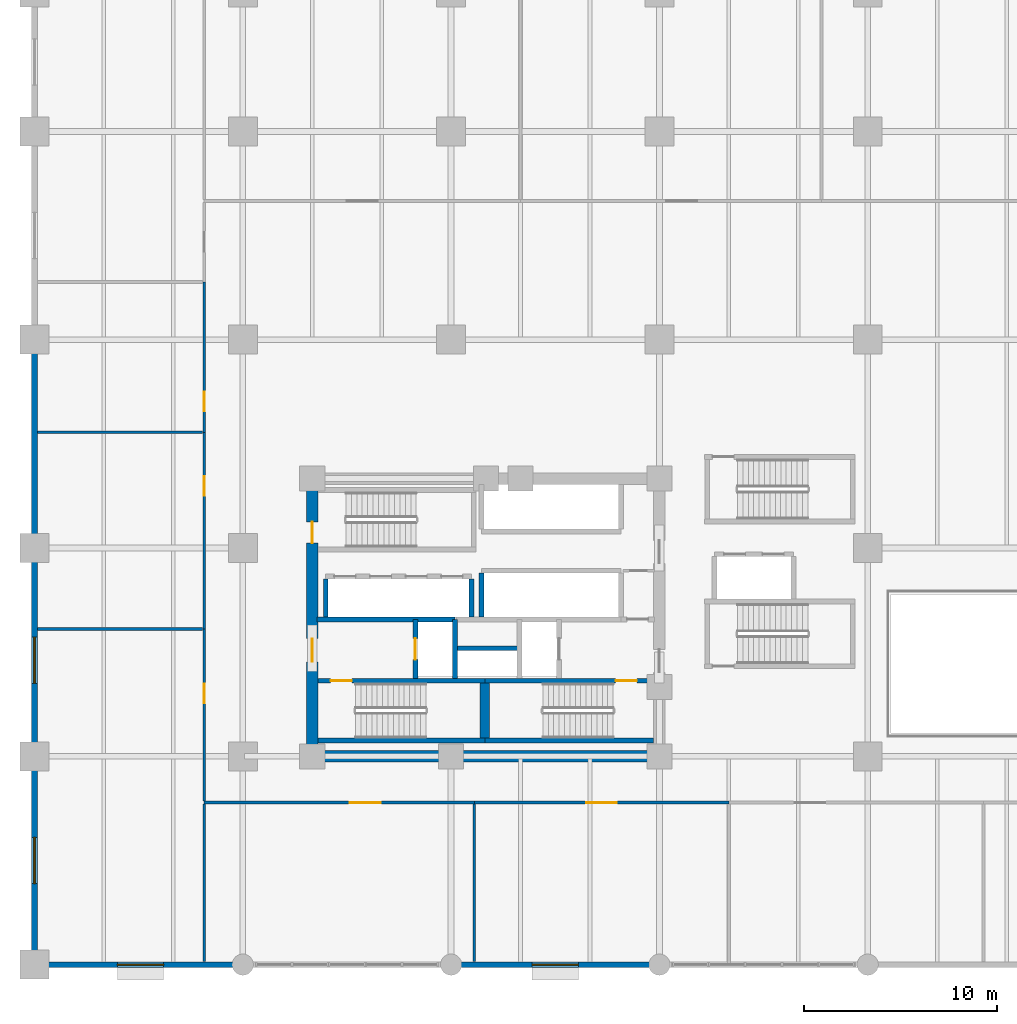
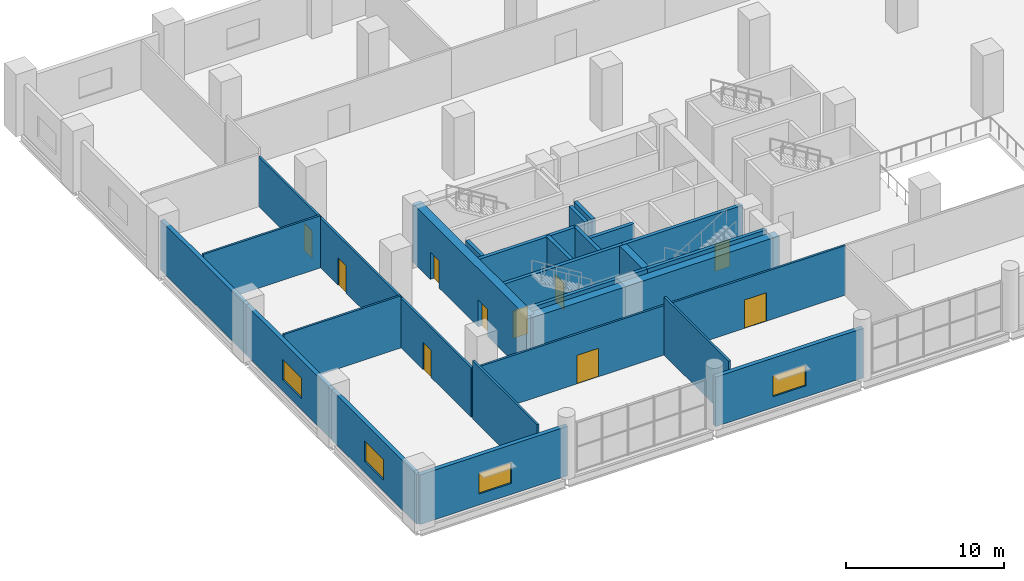
# One storey, part 10 of 16: 28 walls, 10 doors, 4 windows, 14 openings.
"""IFC4 building model written with IfcOpenShell, lengths in metres."""

from ifc_helpers import new_model, si_unit, direction, frame, frame_2d, origin, place, context, subcontext, project, spatial, rectangle, extrude, material, layer, layer_set, type_object, element, fill, save


model = new_model("IFC4")

# Units and contexts
model_context = context("Model", 3, precision=1e-05, world=origin(), true_north=direction((0.0, 1.0)))
body_context = subcontext(model_context, "Body", "Model", "MODEL_VIEW")
ifc_project = project(units=[si_unit("LENGTHUNIT", "METRE"), si_unit("AREAUNIT", "SQUARE_METRE"), si_unit("VOLUMEUNIT", "CUBIC_METRE"), si_unit("PLANEANGLEUNIT", "RADIAN"), si_unit("MASSUNIT", "GRAM", prefix="KILO")], contexts=[model_context])

# Site, building, storey
site_placement = place(None, origin())
site = spatial("IfcSite", under=ifc_project, at=site_placement, CompositionType="ELEMENT")
building_placement = place(site_placement, origin())
building = spatial("IfcBuilding", under=site, at=building_placement, Name="Solnavia Interchange Tower", CompositionType="ELEMENT")
storey_placement = place(building_placement, frame((0.0, 0.0, 5.39990234375)))
storey = spatial("IfcBuildingStorey", under=building, at=storey_placement, Name="L01", CompositionType="ELEMENT", Elevation=5.39990234375)

# Wall, opening, window
ifc_material_1 = material(Name="Concrete C40/50", Category="concrete")
ifc_layer_1 = layer(ifc_material_1, 0.300048828125)
ifc_layer_set_1 = layer_set([ifc_layer_1], Name="Concrete C40/50")
wall_type_1 = type_object("IfcWallType", Name="Wall-ExtSpandrel-300", PredefinedType="STANDARD", material=ifc_layer_set_1)
wall_1_placement = place(storey_placement, frame((10.800048828125, 0.0, 0.0), z_axis=(0.0, 0.0, 1.0), x_axis=(-1.0, 0.0, 0.0)))
wall_1 = element("IfcWall", 1, at=wall_1_placement, inside=storey, type_object=wall_type_1, Name="EXW-L01-S01 South podium wall", PredefinedType="STANDARD", context=body_context, shape_type="SweptSolid", body=[
    extrude(rectangle(XDim=10.800048828125, YDim=0.300048828125, at=frame_2d((5.39990234375, 0.0))), origin(), (0.0, 0.0, 1.0), 3.830078125),
])
opening_1_placement = place(wall_1_placement, frame((4.10009765625, 0.0, 0.85009765625)))
opening_1 = element("IfcOpeningElement", 2, at=opening_1_placement, cuts=wall_1, Name="Opening WIN-06", PredefinedType="OPENING", context=body_context, shape_type="SweptSolid", body=[
    extrude(rectangle(XDim=2.39990234375, YDim=1.60009765625, at=frame_2d((1.199951171875, 0.800048828125))), frame((0.0, 0.16015625, 0.0), z_axis=(0.0, -1.0, 0.0), x_axis=(1.0, 0.0, 0.0)), (0.0, 0.0, 1.0), 0.320068359375),
])
ifc_material_2 = material(Name="Thermal-Break Aluminium & Low-E Glass", Category="aluminium")
window_type = type_object("IfcWindowType", Name="Window-Podium-2400x1600", PartitioningType="SINGLE_PANEL", PredefinedType="WINDOW", material=ifc_material_2)
window_1_placement = place(opening_1_placement, origin())
window_1 = element("IfcWindow", 3, at=window_1_placement, inside=storey, type_object=window_type, Name="WIN-L01-S01 South podium window", OverallHeight=1.60009765625, OverallWidth=2.39990234375, PartitioningType="SINGLE_PANEL", PredefinedType="WINDOW", context=body_context, shape_type="SweptSolid", body=[
    extrude(rectangle(XDim=2.39990234375, YDim=1.60009765625, at=frame_2d((1.199951171875, 0.800048828125))), frame((0.0, 0.030029296875, 0.0), z_axis=(0.0, -1.0, 0.0), x_axis=(1.0, 0.0, 0.0)), (0.0, 0.0, 1.0), 0.06005859375),
])
fill(opening_1, window_1)

wall_2_placement = place(storey_placement, frame((32.39990234375, 0.0, 0.0), z_axis=(0.0, 0.0, 1.0), x_axis=(-1.0, 0.0, 0.0)))
wall_2 = element("IfcWall", 4, at=wall_2_placement, inside=storey, type_object=wall_type_1, Name="EXW-L01-S03 South podium wall", PredefinedType="STANDARD", context=body_context, shape_type="SweptSolid", body=[
    extrude(rectangle(XDim=10.7998046875, YDim=0.300048828125, at=frame_2d((5.39990234375, 0.0))), origin(), (0.0, 0.0, 1.0), 3.830078125),
])
opening_2_placement = place(wall_2_placement, frame((4.199951171875, 0.0, 0.85009765625)))
opening_2 = element("IfcOpeningElement", 5, at=opening_2_placement, cuts=wall_2, Name="Opening WIN-06", PredefinedType="OPENING", context=body_context, shape_type="SweptSolid", body=[
    extrude(rectangle(XDim=2.39990234375, YDim=1.60009765625, at=frame_2d((1.199951171875, 0.800048828125))), frame((0.0, 0.16015625, 0.0), z_axis=(0.0, -1.0, 0.0), x_axis=(1.0, 0.0, 0.0)), (0.0, 0.0, 1.0), 0.320068359375),
])
window_2_placement = place(opening_2_placement, origin())
window_2 = element("IfcWindow", 6, at=window_2_placement, inside=storey, type_object=window_type, Name="WIN-L01-S03 South podium window", OverallHeight=1.60009765625, OverallWidth=2.39990234375, PartitioningType="SINGLE_PANEL", PredefinedType="WINDOW", context=body_context, shape_type="SweptSolid", body=[
    extrude(rectangle(XDim=2.39990234375, YDim=1.60009765625, at=frame_2d((1.199951171875, 0.800048828125))), frame((0.0, 0.030029296875, 0.0), z_axis=(0.0, -1.0, 0.0), x_axis=(1.0, 0.0, 0.0)), (0.0, 0.0, 1.0), 0.06005859375),
])
fill(opening_2, window_2)

wall_3_placement = place(storey_placement, frame((0.0, 0.0, 0.0), z_axis=(0.0, 0.0, 1.0), x_axis=(0.0, 1.0, 0.0)))
wall_3 = element("IfcWall", 7, at=wall_3_placement, inside=storey, type_object=wall_type_1, Name="EXW-L01-W01 West podium wall", PredefinedType="STANDARD", context=body_context, shape_type="SweptSolid", body=[
    extrude(rectangle(XDim=10.800048828125, YDim=0.300048828125, at=frame_2d((5.39990234375, 0.0))), origin(), (0.0, 0.0, 1.0), 3.830078125),
])
opening_3_placement = place(wall_3_placement, frame((4.199951171875, 0.0, 0.85009765625)))
opening_3 = element("IfcOpeningElement", 8, at=opening_3_placement, cuts=wall_3, Name="Opening WIN-06", PredefinedType="OPENING", context=body_context, shape_type="SweptSolid", body=[
    extrude(rectangle(XDim=2.39990234375, YDim=1.60009765625, at=frame_2d((1.199951171875, 0.800048828125))), frame((0.0, 0.16015625, 0.0), z_axis=(0.0, -1.0, 0.0), x_axis=(1.0, 0.0, 0.0)), (0.0, 0.0, 1.0), 0.320068359375),
])
window_3_placement = place(opening_3_placement, origin())
window_3 = element("IfcWindow", 9, at=window_3_placement, inside=storey, type_object=window_type, Name="WIN-L01-W01 West podium window", OverallHeight=1.60009765625, OverallWidth=2.39990234375, PartitioningType="SINGLE_PANEL", PredefinedType="WINDOW", context=body_context, shape_type="SweptSolid", body=[
    extrude(rectangle(XDim=2.39990234375, YDim=1.60009765625, at=frame_2d((1.199951171875, 0.800048828125))), frame((0.0, 0.030029296875, 0.0), z_axis=(0.0, -1.0, 0.0), x_axis=(1.0, 0.0, 0.0)), (0.0, 0.0, 1.0), 0.06005859375),
])
fill(opening_3, window_3)

wall_4_placement = place(storey_placement, frame((0.0, 10.800048828125, 0.0), z_axis=(0.0, 0.0, 1.0), x_axis=(0.0, 1.0, 0.0)))
wall_4 = element("IfcWall", 10, at=wall_4_placement, inside=storey, type_object=wall_type_1, Name="EXW-L01-W02 West podium wall", PredefinedType="STANDARD", context=body_context, shape_type="SweptSolid", body=[
    extrude(rectangle(XDim=10.800048828125, YDim=0.300048828125, at=frame_2d((5.39990234375, 0.0))), origin(), (0.0, 0.0, 1.0), 3.830078125),
])
opening_4_placement = place(wall_4_placement, frame((3.780029296875, 0.0, 0.85009765625)))
opening_4 = element("IfcOpeningElement", 11, at=opening_4_placement, cuts=wall_4, Name="Opening WIN-06", PredefinedType="OPENING", context=body_context, shape_type="SweptSolid", body=[
    extrude(rectangle(XDim=2.39990234375, YDim=1.60009765625, at=frame_2d((1.199951171875, 0.800048828125))), frame((0.0, 0.16015625, 0.0), z_axis=(0.0, -1.0, 0.0), x_axis=(1.0, 0.0, 0.0)), (0.0, 0.0, 1.0), 0.320068359375),
])
window_4_placement = place(opening_4_placement, origin())
window_4 = element("IfcWindow", 12, at=window_4_placement, inside=storey, type_object=window_type, Name="WIN-L01-W02 West podium window", OverallHeight=1.60009765625, OverallWidth=2.39990234375, PartitioningType="SINGLE_PANEL", PredefinedType="WINDOW", context=body_context, shape_type="SweptSolid", body=[
    extrude(rectangle(XDim=2.39990234375, YDim=1.60009765625, at=frame_2d((1.199951171875, 0.800048828125))), frame((0.0, 0.030029296875, 0.0), z_axis=(0.0, -1.0, 0.0), x_axis=(1.0, 0.0, 0.0)), (0.0, 0.0, 1.0), 0.06005859375),
])
fill(opening_4, window_4)

# Wall
wall_5_placement = place(storey_placement, frame((0.0, 21.60009765625, 0.0), z_axis=(0.0, 0.0, 1.0), x_axis=(0.0, 1.0, 0.0)))
element("IfcWall", 13, at=wall_5_placement, inside=storey, type_object=wall_type_1, Name="EXW-L01-W03 West podium wall", PredefinedType="STANDARD", context=body_context, shape_type="SweptSolid", body=[
    extrude(rectangle(XDim=10.7998046875, YDim=0.300048828125, at=frame_2d((5.39990234375, 0.0))), origin(), (0.0, 0.0, 1.0), 3.830078125),
])

# Wall, opening, door
ifc_material_3 = material(Name="Gypsum Plasterboard & Steel Stud", Category="steel")
ifc_layer_2 = layer(ifc_material_3, 0.14990234375)
ifc_layer_set_2 = layer_set([ifc_layer_2], Name="Gypsum Plasterboard & Steel Stud")
wall_type_2 = type_object("IfcWallType", Name="Wall-Partition-150", PredefinedType="PARTITIONING", material=ifc_layer_set_2)
wall_6_placement = place(storey_placement, frame((8.800048828125, 8.39990234375, 0.0), z_axis=(0.0, 0.0, 1.0), x_axis=(1.0, 0.0, 0.0)))
wall_6 = element("IfcWall", 14, at=wall_6_placement, inside=storey, type_object=wall_type_2, Name="PTW-L01-01 Interior partition wall", PredefinedType="PARTITIONING", context=body_context, shape_type="SweptSolid", body=[
    extrude(rectangle(XDim=14.0, YDim=0.14990234375, at=frame_2d((7.0, 0.0))), origin(), (0.0, 0.0, 1.0), 3.830078125),
])
opening_5_placement = place(wall_6_placement, frame((7.554931640625, 0.0, 0.0)))
opening_5 = element("IfcOpeningElement", 15, at=opening_5_placement, cuts=wall_6, Name="Opening DR-08", PredefinedType="OPENING", context=body_context, shape_type="SweptSolid", body=[
    extrude(rectangle(XDim=1.60009765625, YDim=2.199951171875, at=frame_2d((0.800048828125, 1.10009765625))), frame((0.0, 0.0849609375, 0.0), z_axis=(0.0, -1.0, 0.0), x_axis=(1.0, 0.0, 0.0)), (0.0, 0.0, 1.0), 0.169921875),
])
ifc_material_4 = material(Name="Thermally Broken Aluminium & Toughened Glass", Category="aluminium")
door_type_1 = type_object("IfcDoorType", Name="Door-RetailDouble-1600x2200", OperationType="DOUBLE_DOOR_SINGLE_SWING", PredefinedType="DOOR", material=ifc_material_4)
door_1_placement = place(opening_5_placement, origin())
door_1 = element("IfcDoor", 16, at=door_1_placement, inside=storey, type_object=door_type_1, Name="DR-L01-01 Interior room door", OperationType="DOUBLE_DOOR_SINGLE_SWING", OverallHeight=2.199951171875, OverallWidth=1.60009765625, PredefinedType="DOOR", context=body_context, shape_type="SweptSolid", body=[
    extrude(rectangle(XDim=1.60009765625, YDim=2.199951171875, at=frame_2d((0.800048828125, 1.10009765625))), frame((0.0, 0.02490234375, 0.0), z_axis=(0.0, -1.0, 0.0), x_axis=(1.0, 0.0, 0.0)), (0.0, 0.0, 1.0), 0.050048828125),
])
fill(opening_5, door_1)

# Wall
wall_7_placement = place(storey_placement, frame((22.800048828125, 0.154052734375, 0.0), z_axis=(0.0, 0.0, 1.0), x_axis=(0.0, 1.0, 0.0)))
element("IfcWall", 17, at=wall_7_placement, inside=storey, type_object=wall_type_2, Name="PTW-L01-02 Interior partition wall", PredefinedType="PARTITIONING", context=body_context, shape_type="SweptSolid", body=[
    extrude(rectangle(XDim=8.1669921875, YDim=0.14990234375, at=frame_2d((4.08349609375, 0.0))), origin(), (0.0, 0.0, 1.0), 4.485107421875),
])

# Wall, opening, door
wall_8_placement = place(storey_placement, frame((22.800048828125, 8.39990234375, 0.0), z_axis=(0.0, 0.0, 1.0), x_axis=(1.0, 0.0, 0.0)))
wall_8 = element("IfcWall", 18, at=wall_8_placement, inside=storey, type_object=wall_type_2, Name="PTW-L01-03 Interior partition wall", PredefinedType="PARTITIONING", context=body_context, shape_type="SweptSolid", body=[
    extrude(rectangle(XDim=13.199951171875, YDim=0.14990234375, at=frame_2d((6.60009765625, 0.0))), origin(), (0.0, 0.0, 1.0), 3.830078125),
])
opening_6_placement = place(wall_8_placement, frame((5.800048828125, 0.0, 0.0)))
opening_6 = element("IfcOpeningElement", 19, at=opening_6_placement, cuts=wall_8, Name="Opening DR-08", PredefinedType="OPENING", context=body_context, shape_type="SweptSolid", body=[
    extrude(rectangle(XDim=1.60009765625, YDim=2.199951171875, at=frame_2d((0.800048828125, 1.10009765625))), frame((0.0, 0.0849609375, 0.0), z_axis=(0.0, -1.0, 0.0), x_axis=(1.0, 0.0, 0.0)), (0.0, 0.0, 1.0), 0.169921875),
])
door_2_placement = place(opening_6_placement, origin())
door_2 = element("IfcDoor", 20, at=door_2_placement, inside=storey, type_object=door_type_1, Name="DR-L01-02 Interior room door", OperationType="DOUBLE_DOOR_SINGLE_SWING", OverallHeight=2.199951171875, OverallWidth=1.60009765625, PredefinedType="DOOR", context=body_context, shape_type="SweptSolid", body=[
    extrude(rectangle(XDim=1.60009765625, YDim=2.199951171875, at=frame_2d((0.800048828125, 1.10009765625))), frame((0.0, 0.02490234375, 0.0), z_axis=(0.0, -1.0, 0.0), x_axis=(1.0, 0.0, 0.0)), (0.0, 0.0, 1.0), 0.050048828125),
])
fill(opening_6, door_2)

# Wall
wall_9_placement = place(storey_placement, frame((8.800048828125, 0.154052734375, 0.0), z_axis=(0.0, 0.0, 1.0), x_axis=(0.0, 1.0, 0.0)))
element("IfcWall", 21, at=wall_9_placement, inside=storey, type_object=wall_type_2, Name="PTW-L01-13 Interior partition wall", PredefinedType="PARTITIONING", context=body_context, shape_type="SweptSolid", body=[
    extrude(rectangle(XDim=8.1669921875, YDim=0.14990234375, at=frame_2d((4.08349609375, 0.0))), origin(), (0.0, 0.0, 1.0), 4.485107421875),
])

# Wall, opening, door
wall_10_placement = place(storey_placement, frame((8.800048828125, 8.47900390625, 0.0), z_axis=(0.0, 0.0, 1.0), x_axis=(0.0, 1.0, 0.0)))
wall_10 = element("IfcWall", 22, at=wall_10_placement, inside=storey, type_object=wall_type_2, Name="PTW-L01-14 Interior partition wall", PredefinedType="PARTITIONING", context=body_context, shape_type="SweptSolid", body=[
    extrude(rectangle(XDim=8.9208984375, YDim=0.14990234375, at=frame_2d((4.46044921875, 0.0))), origin(), (0.0, 0.0, 1.0), 3.830078125),
])
opening_7_placement = place(wall_10_placement, frame((5.074951171875, 0.0, 0.0)))
opening_7 = element("IfcOpeningElement", 23, at=opening_7_placement, cuts=wall_10, Name="Opening DR-07", PredefinedType="OPENING", context=body_context, shape_type="SweptSolid", body=[
    extrude(rectangle(XDim=1.0, YDim=2.10009765625, at=frame_2d((0.5, 1.050048828125))), frame((0.0, 0.0849609375, 0.0), z_axis=(0.0, -1.0, 0.0), x_axis=(1.0, 0.0, 0.0)), (0.0, 0.0, 1.0), 0.169921875),
])
ifc_material_5 = material(Name="Timber & Acoustic Glazed Office Door", Category="wood")
door_type_2 = type_object("IfcDoorType", Name="Door-Office-1000x2100", OperationType="SINGLE_SWING_RIGHT", PredefinedType="DOOR", material=ifc_material_5)
door_3_placement = place(opening_7_placement, origin())
door_3 = element("IfcDoor", 24, at=door_3_placement, inside=storey, type_object=door_type_2, Name="DR-L01-08 Interior room door", OperationType="SINGLE_SWING_RIGHT", OverallHeight=2.10009765625, OverallWidth=1.0, PredefinedType="DOOR", context=body_context, shape_type="SweptSolid", body=[
    extrude(rectangle(XDim=1.0, YDim=2.10009765625, at=frame_2d((0.5, 1.050048828125))), frame((0.0, 0.02490234375, 0.0), z_axis=(0.0, -1.0, 0.0), x_axis=(1.0, 0.0, 0.0)), (0.0, 0.0, 1.0), 0.050048828125),
])
fill(opening_7, door_3)

# Wall
wall_11_placement = place(storey_placement, frame((0.154052734375, 17.39990234375, 0.0), z_axis=(0.0, 0.0, 1.0), x_axis=(1.0, 0.0, 0.0)))
element("IfcWall", 25, at=wall_11_placement, inside=storey, type_object=wall_type_2, Name="PTW-L01-15 Interior partition wall", PredefinedType="PARTITIONING", context=body_context, shape_type="SweptSolid", body=[
    extrude(rectangle(XDim=8.56689453125, YDim=0.14990234375, at=frame_2d((4.283447265625, 0.0))), origin(), (0.0, 0.0, 1.0), 4.030029296875),
])

# Wall, opening, door
wall_12_placement = place(storey_placement, frame((8.800048828125, 17.39990234375, 0.0), z_axis=(0.0, 0.0, 1.0), x_axis=(0.0, 1.0, 0.0)))
wall_12 = element("IfcWall", 26, at=wall_12_placement, inside=storey, type_object=wall_type_2, Name="PTW-L01-16 Interior partition wall", PredefinedType="PARTITIONING", context=body_context, shape_type="SweptSolid", body=[
    extrude(rectangle(XDim=10.2001953125, YDim=0.14990234375, at=frame_2d((5.10009765625, 0.0))), origin(), (0.0, 0.0, 1.0), 3.830078125),
])
opening_8_placement = place(wall_12_placement, frame((6.908935546875, 0.0, 0.0)))
opening_8 = element("IfcOpeningElement", 27, at=opening_8_placement, cuts=wall_12, Name="Opening DR-07", PredefinedType="OPENING", context=body_context, shape_type="SweptSolid", body=[
    extrude(rectangle(XDim=1.0, YDim=2.10009765625, at=frame_2d((0.5, 1.050048828125))), frame((0.0, 0.0849609375, 0.0), z_axis=(0.0, -1.0, 0.0), x_axis=(1.0, 0.0, 0.0)), (0.0, 0.0, 1.0), 0.169921875),
])
door_4_placement = place(opening_8_placement, origin())
door_4 = element("IfcDoor", 28, at=door_4_placement, inside=storey, type_object=door_type_2, Name="DR-L01-09 Interior room door", OperationType="SINGLE_SWING_RIGHT", OverallHeight=2.10009765625, OverallWidth=1.0, PredefinedType="DOOR", context=body_context, shape_type="SweptSolid", body=[
    extrude(rectangle(XDim=1.0, YDim=2.10009765625, at=frame_2d((0.5, 1.050048828125))), frame((0.0, 0.02490234375, 0.0), z_axis=(0.0, -1.0, 0.0), x_axis=(1.0, 0.0, 0.0)), (0.0, 0.0, 1.0), 0.050048828125),
])
fill(opening_8, door_4)

# Wall
wall_13_placement = place(storey_placement, frame((0.154052734375, 27.60009765625, 0.0), z_axis=(0.0, 0.0, 1.0), x_axis=(1.0, 0.0, 0.0)))
element("IfcWall", 29, at=wall_13_placement, inside=storey, type_object=wall_type_2, Name="PTW-L01-17 Interior partition wall", PredefinedType="PARTITIONING", context=body_context, shape_type="SweptSolid", body=[
    extrude(rectangle(XDim=8.56689453125, YDim=0.14990234375, at=frame_2d((4.283447265625, 0.0))), origin(), (0.0, 0.0, 1.0), 4.030029296875),
])

# Wall, opening, door
wall_14_placement = place(storey_placement, frame((8.800048828125, 27.60009765625, 0.0), z_axis=(0.0, 0.0, 1.0), x_axis=(0.0, 1.0, 0.0)))
wall_14 = element("IfcWall", 30, at=wall_14_placement, inside=storey, type_object=wall_type_2, Name="PTW-L01-18 Interior partition wall", PredefinedType="PARTITIONING", context=body_context, shape_type="SweptSolid", body=[
    extrude(rectangle(XDim=7.7998046875, YDim=0.14990234375, at=frame_2d((3.89990234375, 0.0))), origin(), (0.0, 0.0, 1.0), 3.830078125),
])
opening_9_placement = place(wall_14_placement, frame((1.094970703125, 0.0, 0.0)))
opening_9 = element("IfcOpeningElement", 31, at=opening_9_placement, cuts=wall_14, Name="Opening DR-07", PredefinedType="OPENING", context=body_context, shape_type="SweptSolid", body=[
    extrude(rectangle(XDim=1.0, YDim=2.10009765625, at=frame_2d((0.5, 1.050048828125))), frame((0.0, 0.0849609375, 0.0), z_axis=(0.0, -1.0, 0.0), x_axis=(1.0, 0.0, 0.0)), (0.0, 0.0, 1.0), 0.169921875),
])
door_5_placement = place(opening_9_placement, origin())
door_5 = element("IfcDoor", 32, at=door_5_placement, inside=storey, type_object=door_type_2, Name="DR-L01-10 Interior room door", OperationType="SINGLE_SWING_LEFT", OverallHeight=2.10009765625, OverallWidth=1.0, PredefinedType="DOOR", context=body_context, shape_type="SweptSolid", body=[
    extrude(rectangle(XDim=1.0, YDim=2.10009765625, at=frame_2d((0.5, 1.050048828125))), frame((0.0, 0.02490234375, 0.0), z_axis=(0.0, -1.0, 0.0), x_axis=(1.0, 0.0, 0.0)), (0.0, 0.0, 1.0), 0.050048828125),
])
fill(opening_9, door_5)

# Wall
ifc_layer_3 = layer(ifc_material_1, 0.25)
ifc_layer_set_3 = layer_set([ifc_layer_3], Name="Concrete C40/50")
wall_type_3 = type_object("IfcWallType", Name="Wall-ShaftCore-250", PredefinedType="SHEAR", material=ifc_layer_set_3)
wall_15_placement = place(storey_placement, frame((14.699951171875, 11.625, 0.0), z_axis=(0.0, 0.0, 1.0), x_axis=(1.0, 0.0, 0.0)))
element("IfcWall", 33, at=wall_15_placement, inside=storey, type_object=wall_type_3, Name="SHW-L01-ST1S Core shear wall", PredefinedType="SHEAR", context=body_context, shape_type="SweptSolid", body=[
    extrude(rectangle(XDim=8.650146484375, YDim=0.25, at=frame_2d((4.3251953125, 0.0))), origin(), (0.0, 0.0, 1.0), 4.5),
])

# Wall, opening, door
wall_16_placement = place(storey_placement, frame((14.699951171875, 14.715087890625, 0.0), z_axis=(0.0, 0.0, 1.0), x_axis=(1.0, 0.0, 0.0)))
wall_16 = element("IfcWall", 34, at=wall_16_placement, inside=storey, type_object=wall_type_3, Name="SHW-L01-ST1N Core shear wall", PredefinedType="SHEAR", context=body_context, shape_type="SweptSolid", body=[
    extrude(rectangle(XDim=8.650146484375, YDim=0.25, at=frame_2d((4.3251953125, 0.0))), origin(), (0.0, 0.0, 1.0), 4.5),
])
opening_10_placement = place(wall_16_placement, frame((0.655029296875, 0.0, 0.0)))
opening_10 = element("IfcOpeningElement", 35, at=opening_10_placement, cuts=wall_16, Name="Opening DR-01", PredefinedType="OPENING", context=body_context, shape_type="SweptSolid", body=[
    extrude(rectangle(XDim=1.10009765625, YDim=2.10009765625, at=frame_2d((0.550048828125, 1.050048828125))), frame((0.0, 0.135009765625, 0.0), z_axis=(0.0, -1.0, 0.0), x_axis=(1.0, 0.0, 0.0)), (0.0, 0.0, 1.0), 0.27001953125),
])
ifc_material_6 = material(Name="Steel Fire-Rated Leaf & Frame", Category="steel")
door_type_3 = type_object("IfcDoorType", Name="Door-StairFire-1100x2100", OperationType="SINGLE_SWING_LEFT", PredefinedType="DOOR", material=ifc_material_6)
door_6_placement = place(opening_10_placement, origin())
door_6 = element("IfcDoor", 36, at=door_6_placement, inside=storey, type_object=door_type_3, Name="DR-L01-ST1 Core fire door", OperationType="SINGLE_SWING_LEFT", OverallHeight=2.10009765625, OverallWidth=1.10009765625, PredefinedType="DOOR", context=body_context, shape_type="SweptSolid", body=[
    extrude(rectangle(XDim=1.10009765625, YDim=2.10009765625, at=frame_2d((0.550048828125, 1.050048828125))), frame((0.0, 0.02490234375, 0.0), z_axis=(0.0, -1.0, 0.0), x_axis=(1.0, 0.0, 0.0)), (0.0, 0.0, 1.0), 0.050048828125),
])
fill(opening_10, door_6)

# Wall
wall_17_placement = place(storey_placement, frame((23.35009765625, 11.625, 0.0), z_axis=(0.0, 0.0, 1.0), x_axis=(1.0, 0.0, 0.0)))
element("IfcWall", 37, at=wall_17_placement, inside=storey, type_object=wall_type_3, Name="SHW-L01-ST2S Core shear wall", PredefinedType="SHEAR", context=body_context, shape_type="SweptSolid", body=[
    extrude(rectangle(XDim=8.75, YDim=0.25, at=frame_2d((4.375, 0.0))), origin(), (0.0, 0.0, 1.0), 4.5),
])

# Wall, opening, door
wall_18_placement = place(storey_placement, frame((23.35009765625, 14.715087890625, 0.0), z_axis=(0.0, 0.0, 1.0), x_axis=(1.0, 0.0, 0.0)))
wall_18 = element("IfcWall", 38, at=wall_18_placement, inside=storey, type_object=wall_type_3, Name="SHW-L01-ST2N Core shear wall", PredefinedType="SHEAR", context=body_context, shape_type="SweptSolid", body=[
    extrude(rectangle(XDim=8.75, YDim=0.25, at=frame_2d((4.375, 0.0))), origin(), (0.0, 0.0, 1.0), 4.5),
])
opening_11_placement = place(wall_18_placement, frame((6.77490234375, 0.0, 0.0)))
opening_11 = element("IfcOpeningElement", 39, at=opening_11_placement, cuts=wall_18, Name="Opening DR-01", PredefinedType="OPENING", context=body_context, shape_type="SweptSolid", body=[
    extrude(rectangle(XDim=1.10009765625, YDim=2.10009765625, at=frame_2d((0.550048828125, 1.050048828125))), frame((0.0, 0.135009765625, 0.0), z_axis=(0.0, -1.0, 0.0), x_axis=(1.0, 0.0, 0.0)), (0.0, 0.0, 1.0), 0.27001953125),
])
door_7_placement = place(opening_11_placement, origin())
door_7 = element("IfcDoor", 40, at=door_7_placement, inside=storey, type_object=door_type_3, Name="DR-L01-ST2 Core fire door", OperationType="SINGLE_SWING_LEFT", OverallHeight=2.10009765625, OverallWidth=1.10009765625, PredefinedType="DOOR", context=body_context, shape_type="SweptSolid", body=[
    extrude(rectangle(XDim=1.10009765625, YDim=2.10009765625, at=frame_2d((0.550048828125, 1.050048828125))), frame((0.0, 0.02490234375, 0.0), z_axis=(0.0, -1.0, 0.0), x_axis=(1.0, 0.0, 0.0)), (0.0, 0.0, 1.0), 0.050048828125),
])
fill(opening_11, door_7)

# Wall
ifc_layer_4 = layer(ifc_material_1, 0.25)
ifc_layer_set_4 = layer_set([ifc_layer_4], Name="Concrete C40/50")
wall_type_4 = type_object("IfcWallType", Name="Wall-ShaftPart-250", PredefinedType="PARTITIONING", material=ifc_layer_set_4)
wall_19_placement = place(storey_placement, frame((14.64990234375, 17.89990234375, 0.0), z_axis=(0.0, 0.0, 1.0), x_axis=(1.0, 0.0, 0.0)))
element("IfcWall", 41, at=wall_19_placement, inside=storey, type_object=wall_type_4, Name="SHW-L01-FFLW-N Core shaft wall", PredefinedType="PARTITIONING", context=body_context, shape_type="SweptSolid", body=[
    extrude(rectangle(XDim=7.150146484375, YDim=0.25, at=frame_2d((3.5751953125, 0.0))), origin(), (0.0, 0.0, 1.0), 4.485107421875),
])

# Wall, opening, door
wall_20_placement = place(storey_placement, frame((19.75, 14.840087890625, 0.0), z_axis=(0.0, 0.0, 1.0), x_axis=(0.0, 1.0, 0.0)))
wall_20 = element("IfcWall", 42, at=wall_20_placement, inside=storey, type_object=wall_type_4, Name="SHW-L01-FFL1-W Core shaft wall", PredefinedType="PARTITIONING", context=body_context, shape_type="SweptSolid", body=[
    extrude(rectangle(XDim=3.059814453125, YDim=0.25, at=frame_2d((1.52978515625, 0.0))), origin(), (0.0, 0.0, 1.0), 4.485107421875),
])
opening_12_placement = place(wall_20_placement, frame((0.97998046875, 0.0, 0.0)))
opening_12 = element("IfcOpeningElement", 43, at=opening_12_placement, cuts=wall_20, Name="Opening LD-01", PredefinedType="OPENING", context=body_context, shape_type="SweptSolid", body=[
    extrude(rectangle(XDim=1.10009765625, YDim=2.10009765625, at=frame_2d((0.550048828125, 1.050048828125))), frame((0.0, 0.135009765625, 0.0), z_axis=(0.0, -1.0, 0.0), x_axis=(1.0, 0.0, 0.0)), (0.0, 0.0, 1.0), 0.27001953125),
])
ifc_material_7 = material(Name="Brushed Stainless Steel Sliding Door", Category="steel")
door_type_4 = type_object("IfcDoorType", Name="Door-LiftLanding-1100x2100", OperationType="SLIDING_TO_LEFT", PredefinedType="DOOR", material=ifc_material_7)
door_8_placement = place(opening_12_placement, origin())
door_8 = element("IfcDoor", 44, at=door_8_placement, inside=storey, type_object=door_type_4, Name="LD-L01-FFL1 Lift landing sliding door", OperationType="SLIDING_TO_LEFT", OverallHeight=2.10009765625, OverallWidth=1.10009765625, PredefinedType="DOOR", context=body_context, shape_type="SweptSolid", body=[
    extrude(rectangle(XDim=1.10009765625, YDim=2.10009765625, at=frame_2d((0.550048828125, 1.050048828125))), frame((0.0, 0.02490234375, 0.0), z_axis=(0.0, -1.0, 0.0), x_axis=(1.0, 0.0, 0.0)), (0.0, 0.0, 1.0), 0.050048828125),
])
fill(opening_12, door_8)

# Walls
wall_21_placement = place(storey_placement, frame((21.800048828125, 14.840087890625, 0.0), z_axis=(0.0, 0.0, 1.0), x_axis=(0.0, 1.0, 0.0)))
element("IfcWall", 45, at=wall_21_placement, inside=storey, type_object=wall_type_4, Name="SHW-L01-FFL1-E Core shaft wall", PredefinedType="PARTITIONING", context=body_context, shape_type="SweptSolid", body=[
    extrude(rectangle(XDim=3.059814453125, YDim=0.25, at=frame_2d((1.52978515625, 0.0))), origin(), (0.0, 0.0, 1.0), 4.485107421875),
])
wall_22_placement = place(storey_placement, frame((21.800048828125, 16.39990234375, 0.0), z_axis=(0.0, 0.0, 1.0), x_axis=(1.0, 0.0, 0.0)))
element("IfcWall", 46, at=wall_22_placement, inside=storey, type_object=wall_type_4, Name="SHW-L01-MEP-N Core shaft wall", PredefinedType="PARTITIONING", context=body_context, shape_type="SweptSolid", body=[
    extrude(rectangle(XDim=3.349853515625, YDim=0.25, at=frame_2d((1.6748046875, 0.0))), origin(), (0.0, 0.0, 1.0), 4.485107421875),
])
for number, where, z_axis, x_axis, name in (
    (47, (15.10009765625, 18.02490234375, 0.0), (0.0, 0.0, 1.0), (0.0, 1.0, 0.0), "SHW-L01-B1W Core shaft wall"),
    (48, (22.64990234375, 18.02490234375, 0.0), (0.0, 0.0, 1.0), (0.0, 1.0, 0.0), "SHW-L01-B1E Core shaft wall"),
):
    element("IfcWall", number, at=place(storey_placement, frame(where, z_axis=z_axis, x_axis=x_axis)), inside=storey, type_object=wall_type_4, Name=name, PredefinedType="PARTITIONING", context=body_context, shape_type="SweptSolid", body=[
        extrude(rectangle(XDim=1.97509765625, YDim=0.25, at=frame_2d((0.987548828125, 0.0))), origin(), (0.0, 0.0, 1.0), 4.485107421875),
    ])
wall_23_placement = place(storey_placement, frame((23.179931640625, 18.02490234375, 0.0), z_axis=(0.0, 0.0, 1.0), x_axis=(0.0, 1.0, 0.0)))
element("IfcWall", 49, at=wall_23_placement, inside=storey, type_object=wall_type_4, Name="SHW-L01-B2W Core shaft wall", PredefinedType="PARTITIONING", context=body_context, shape_type="SweptSolid", body=[
    extrude(rectangle(XDim=2.27001953125, YDim=0.25, at=frame_2d((1.135009765625, 0.0))), origin(), (0.0, 0.0, 1.0), 4.485107421875),
])
ifc_material_8 = material(Name="Concrete C60/75", Category="concrete")
ifc_layer_5 = layer(ifc_material_8, 0.5)
ifc_layer_set_5 = layer_set([ifc_layer_5], Name="Concrete C60/75")
wall_type_5 = type_object("IfcWallType", Name="Wall-ShearCore-500", PredefinedType="SHEAR", material=ifc_layer_set_5)
wall_24_placement = place(storey_placement, frame((23.35009765625, 11.75, 0.0), z_axis=(0.0, 0.0, 1.0), x_axis=(0.0, 1.0, 0.0)))
element("IfcWall", 50, at=wall_24_placement, inside=storey, type_object=wall_type_5, Name="SHW-L01-ST12M Core shear wall", PredefinedType="SHEAR", context=body_context, shape_type="SweptSolid", body=[
    extrude(rectangle(XDim=2.840087890625, YDim=0.5, at=frame_2d((1.419921875, 0.0))), origin(), (0.0, 0.0, 1.0), 4.5),
])
ifc_layer_6 = layer(ifc_material_8, 0.60009765625)
ifc_layer_set_6 = layer_set([ifc_layer_6], Name="Concrete C60/75")
wall_type_6 = type_object("IfcWallType", Name="Wall-ShearCore-600", PredefinedType="SHEAR", material=ifc_layer_set_6)
wall_25_placement = place(storey_placement, frame((14.39990234375, 10.800048828125, 0.0), z_axis=(0.0, 0.0, 1.0), x_axis=(1.0, 0.0, 0.0)))
element("IfcWall", 51, at=wall_25_placement, inside=storey, type_object=wall_type_6, Name="CRW-L01-S Core shear wall", PredefinedType="SHEAR", context=body_context, shape_type="SweptSolid", body=[
    extrude(rectangle(XDim=18.0, YDim=0.60009765625, at=frame_2d((9.0, 0.0))), origin(), (0.0, 0.0, 1.0), 4.5),
])

# Wall, openings, doors
wall_26_placement = place(storey_placement, frame((14.39990234375, 10.800048828125, 0.0), z_axis=(0.0, 0.0, 1.0), x_axis=(0.0, 1.0, 0.0)))
wall_26 = element("IfcWall", 52, at=wall_26_placement, inside=storey, type_object=wall_type_6, Name="CRW-L01-W Core shear wall", PredefinedType="SHEAR", context=body_context, shape_type="SweptSolid", body=[
    extrude(rectangle(XDim=14.39990234375, YDim=0.60009765625, at=frame_2d((7.199951171875, 0.0))), origin(), (0.0, 0.0, 1.0), 4.5),
])
opening_13_placement = place(wall_26_placement, frame((11.050048828125, 0.0, 0.0)))
opening_13 = element("IfcOpeningElement", 53, at=opening_13_placement, cuts=wall_26, Name="Opening DR-01", PredefinedType="OPENING", context=body_context, shape_type="SweptSolid", body=[
    extrude(rectangle(XDim=1.10009765625, YDim=2.10009765625, at=frame_2d((0.550048828125, 1.050048828125))), frame((0.0, 0.31005859375, 0.0), z_axis=(0.0, -1.0, 0.0), x_axis=(1.0, 0.0, 0.0)), (0.0, 0.0, 1.0), 0.6201171875),
])
opening_14_placement = place(wall_26_placement, frame((4.89990234375, 0.0, 0.0)))
opening_14 = element("IfcOpeningElement", 54, at=opening_14_placement, cuts=wall_26, Name="Opening DR-02", PredefinedType="OPENING", context=body_context, shape_type="SweptSolid", body=[
    extrude(rectangle(XDim=1.199951171875, YDim=2.10009765625, at=frame_2d((0.60009765625, 1.050048828125))), frame((0.0, 0.31005859375, 0.0), z_axis=(0.0, -1.0, 0.0), x_axis=(1.0, 0.0, 0.0)), (0.0, 0.0, 1.0), 0.6201171875),
])
ifc_material_9 = material(Name="Steel Fire-Rated Vision-Panel Door", Category="steel")
door_type_5 = type_object("IfcDoorType", Name="Door-LobbyFire-1200x2100", OperationType="SINGLE_SWING_RIGHT", PredefinedType="DOOR", material=ifc_material_9)
door_9_placement = place(opening_14_placement, origin())
door_9 = element("IfcDoor", 55, at=door_9_placement, inside=storey, type_object=door_type_5, Name="DR-L01-FFL1W Core fire door", OperationType="SINGLE_SWING_RIGHT", OverallHeight=2.10009765625, OverallWidth=1.199951171875, PredefinedType="DOOR", context=body_context, shape_type="SweptSolid", body=[
    extrude(rectangle(XDim=1.199951171875, YDim=2.10009765625, at=frame_2d((0.60009765625, 1.050048828125))), frame((0.0, 0.02490234375, 0.0), z_axis=(0.0, -1.0, 0.0), x_axis=(1.0, 0.0, 0.0)), (0.0, 0.0, 1.0), 0.050048828125),
])
fill(opening_14, door_9)
door_10_placement = place(opening_13_placement, origin())
door_10 = element("IfcDoor", 56, at=door_10_placement, inside=storey, type_object=door_type_3, Name="DR-L01-ST3 Core fire door", OperationType="SINGLE_SWING_RIGHT", OverallHeight=2.10009765625, OverallWidth=1.10009765625, PredefinedType="DOOR", context=body_context, shape_type="SweptSolid", body=[
    extrude(rectangle(XDim=1.10009765625, YDim=2.10009765625, at=frame_2d((0.550048828125, 1.050048828125))), frame((0.0, 0.02490234375, 0.0), z_axis=(0.0, -1.0, 0.0), x_axis=(1.0, 0.0, 0.0)), (0.0, 0.0, 1.0), 0.050048828125),
])
fill(opening_13, door_10)

save(model, "model.ifc")
